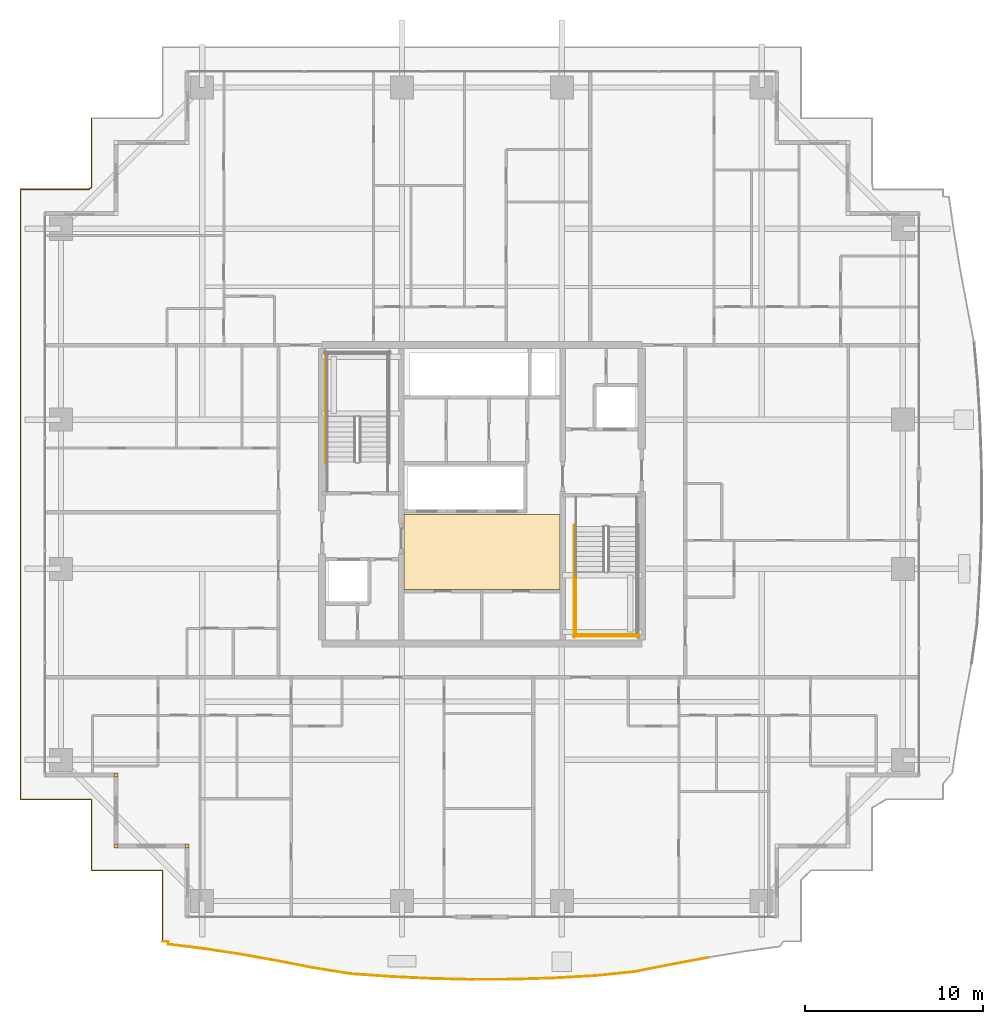
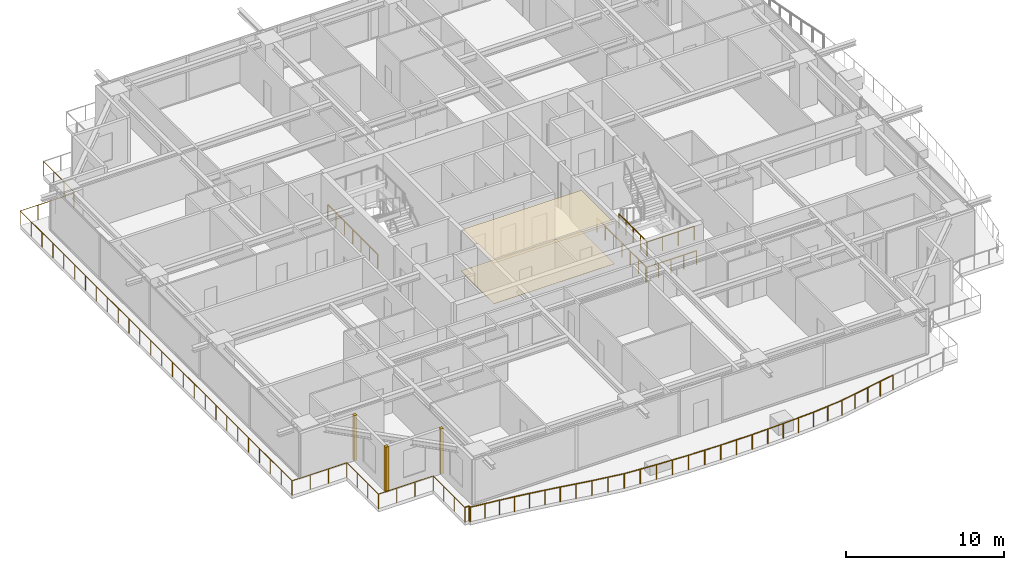
# One storey, part 34 of 38: 8 railings, 5 coverings.
"""IFC4 building model written with IfcOpenShell, lengths in metres."""

from ifc_helpers import new_model, si_unit, direction, frame, origin, origin_2d, place, context, subcontext, project, spatial, polyline, rectangle, circle, outline, extrude, source, transform, mapped, material, layer, layer_set, type_object, element, save


model = new_model("IFC4")

# Units and contexts
model_context = context("Model", 3, precision=1e-05, world=origin(), true_north=direction((0.0, 1.0)))
body_context = subcontext(model_context, "Body", "Model", "MODEL_VIEW")
ifc_project = project(units=[si_unit("LENGTHUNIT", "METRE"), si_unit("AREAUNIT", "SQUARE_METRE"), si_unit("VOLUMEUNIT", "CUBIC_METRE"), si_unit("PLANEANGLEUNIT", "RADIAN"), si_unit("MASSUNIT", "GRAM", prefix="KILO")], contexts=[model_context])

# Site, building, storey
site_placement = place(None, origin())
site = spatial("IfcSite", under=ifc_project, at=site_placement, CompositionType="ELEMENT")
building_placement = place(site_placement, origin())
building = spatial("IfcBuilding", under=site, at=building_placement, Name="Serunith Strait Residences", CompositionType="ELEMENT")
storey_placement = place(building_placement, frame((0.0, 0.0, 176.39990234375)))
storey = spatial("IfcBuildingStorey", under=building, at=storey_placement, Name="L44", CompositionType="ELEMENT", Elevation=176.39990234375)

# Coverings
ifc_material_1 = material(Name="Perforated acoustic gypsum ceiling tile")
ifc_layer_1 = layer(ifc_material_1, 0.02490234375, Name="Perforated acoustic gypsum ceiling tile")
ifc_layer_set_1 = layer_set([ifc_layer_1], Name="Perforated acoustic gypsum ceiling tile")
covering_type_1 = type_object("IfcCoveringType", Name="COV-CEIL-AC60", PredefinedType="CEILING", material=ifc_layer_set_1)
covering_1_placement = place(storey_placement, frame((0.0, 0.0, 3.14013671875)))
element("IfcCovering", 1, at=covering_1_placement, inside=storey, type_object=covering_type_1, Name="L44 Lift Lobby Acoustic Ceiling", PredefinedType="CEILING", context=body_context, shape_type="SweptSolid", body=[
    extrude(outline(polyline([(28.0, 19.85009765625), (36.800048828125, 19.85009765625), (36.800048828125, 24.050048828125), (28.0, 24.050048828125), (28.0, 19.85009765625)])), origin(), (0.0, 0.0, 1.0), 0.02490234375),
])
ifc_material_2 = material(Name="Honed limestone terrazzo flooring", Category="masonry")
ifc_layer_2 = layer(ifc_material_2, 0.02001953125, Name="Honed limestone terrazzo flooring")
ifc_layer_set_2 = layer_set([ifc_layer_2], Name="Honed limestone terrazzo flooring")
covering_type_2 = type_object("IfcCoveringType", Name="COV-FLOOR-TER40", PredefinedType="FLOORING", material=ifc_layer_set_2)
covering_2_placement = place(storey_placement, origin())
element("IfcCovering", 2, at=covering_2_placement, inside=storey, type_object=covering_type_2, Name="L44 Lift Lobby Terrazzo Flooring", PredefinedType="FLOORING", context=body_context, shape_type="SweptSolid", body=[
    extrude(outline(polyline([(28.0, 19.85009765625), (36.800048828125, 19.85009765625), (36.800048828125, 24.050048828125), (28.0, 24.050048828125), (28.0, 19.85009765625)])), origin(), (0.0, 0.0, 1.0), 0.02001953125),
])

# Railings
ifc_material_3 = material(Name="Stainless Steel & Laminated Glass Balustrade", Category="steel")
railing_type_1 = type_object("IfcRailingType", Name="RLG-BALC-1150", PredefinedType="BALUSTRADE", material=ifc_material_3)
railing_1_placement = place(storey_placement, frame((14.419921875, 0.02001953125, -0.0498046875)))
element("IfcRailing", 3, at=railing_1_placement, inside=storey, type_object=railing_type_1, Name="L44 Swirling Balcony Perimeter Balustrade 1", PredefinedType="BALUSTRADE", context=body_context, shape_type="SweptSolid", body=[
    extrude(circle(Radius=0.02392578125, at=origin_2d()), frame((0.0, 0.001953125, 1.1259765625), z_axis=(0.0, 1.0, 0.0), x_axis=(-1.0, 0.0, 0.0)), (0.0, 0.0, 1.0), 3.99609375),
    extrude(circle(Radius=0.02392578125, at=origin_2d()), frame((-0.001953125, 4.0, 1.1259765625), z_axis=(-1.0, 0.0, 0.0), x_axis=(0.0, -1.0, 0.0)), (0.0, 0.0, 1.0), 3.99609375),
    extrude(circle(Radius=0.02392578125, at=origin_2d()), frame((-4.0, 4.001953125, 1.1259765625), z_axis=(0.0, 1.0, 0.0), x_axis=(-1.0, 0.0, 0.0)), (0.0, 0.0, 1.0), 3.99609375),
    extrude(circle(Radius=0.02392578125, at=origin_2d()), frame((-4.001953125, 8.0, 1.1259765625), z_axis=(-1.0, 0.0, 0.0), x_axis=(0.0, -1.0, 0.0)), (0.0, 0.0, 1.0), 3.99609375),
    extrude(circle(Radius=0.02392578125, at=origin_2d()), frame((-8.0, 8.001953125, 1.1259765625), z_axis=(0.0, 1.0, 0.0), x_axis=(-1.0, 0.0, 0.0)), (0.0, 0.0, 1.0), 34.35595703125),
    extrude(circle(Radius=0.02392578125, at=origin_2d()), frame((-7.998046875, 42.35986328125, 1.1259765625), z_axis=(1.0, 0.0, 0.0), x_axis=(0.0, 1.0, 0.0)), (0.0, 0.0, 1.0), 3.861083984375),
    extrude(circle(Radius=0.02392578125, at=origin_2d()), frame((-4.13330078125, 42.361083984375, 1.1259765625), z_axis=(0.808862567734, 0.587997743633, 0.0), x_axis=(-0.587997743633, 0.808862567734, 0.0)), (0.0, 0.0, 1.0), 0.162841796875),
    extrude(circle(Radius=0.02392578125, at=origin_2d()), frame((-4.0, 42.4599609375, 1.1259765625), z_axis=(0.0, 1.0, 0.0), x_axis=(-1.0, 0.0, 0.0)), (0.0, 0.0, 1.0), 3.89794921875),
    extrude(circle(Radius=0.02099609375, at=origin_2d()), origin(), (0.0, 0.0, 1.0), 1.099853515625),
    extrude(circle(Radius=0.02099609375, at=origin_2d()), frame((0.0, 1.333251953125, 0.0)), (0.0, 0.0, 1.0), 1.099853515625),
    extrude(circle(Radius=0.02099609375, at=origin_2d()), frame((0.0, 2.666748046875, 0.0)), (0.0, 0.0, 1.0), 1.099853515625),
    extrude(circle(Radius=0.02099609375, at=origin_2d()), frame((0.0, 4.0, 0.0)), (0.0, 0.0, 1.0), 1.099853515625),
    extrude(circle(Radius=0.02099609375, at=origin_2d()), frame((-1.333251953125, 4.0, 0.0)), (0.0, 0.0, 1.0), 1.099853515625),
    extrude(circle(Radius=0.02099609375, at=origin_2d()), frame((-2.666748046875, 4.0, 0.0)), (0.0, 0.0, 1.0), 1.099853515625),
    extrude(circle(Radius=0.02099609375, at=origin_2d()), frame((-4.0, 4.0, 0.0)), (0.0, 0.0, 1.0), 1.099853515625),
    extrude(circle(Radius=0.02099609375, at=origin_2d()), frame((-4.0, 5.333251953125, 0.0)), (0.0, 0.0, 1.0), 1.099853515625),
    extrude(circle(Radius=0.02099609375, at=origin_2d()), frame((-4.0, 6.666748046875, 0.0)), (0.0, 0.0, 1.0), 1.099853515625),
    extrude(circle(Radius=0.02099609375, at=origin_2d()), frame((-4.0, 8.0, 0.0)), (0.0, 0.0, 1.0), 1.099853515625),
    extrude(circle(Radius=0.02099609375, at=origin_2d()), frame((-5.333251953125, 8.0, 0.0)), (0.0, 0.0, 1.0), 1.099853515625),
    extrude(circle(Radius=0.02099609375, at=origin_2d()), frame((-6.666748046875, 8.0, 0.0)), (0.0, 0.0, 1.0), 1.099853515625),
    extrude(circle(Radius=0.02099609375, at=origin_2d()), frame((-8.0, 8.0, 0.0)), (0.0, 0.0, 1.0), 1.099853515625),
    extrude(circle(Radius=0.02099609375, at=origin_2d()), frame((-8.0, 9.37451171875, 0.0)), (0.0, 0.0, 1.0), 1.099853515625),
    extrude(circle(Radius=0.02099609375, at=origin_2d()), frame((-8.0, 10.748779296875, 0.0)), (0.0, 0.0, 1.0), 1.099853515625),
    extrude(circle(Radius=0.02099609375, at=origin_2d()), frame((-8.0, 12.123291015625, 0.0)), (0.0, 0.0, 1.0), 1.099853515625),
    extrude(circle(Radius=0.02099609375, at=origin_2d()), frame((-8.0, 13.49755859375, 0.0)), (0.0, 0.0, 1.0), 1.099853515625),
    extrude(circle(Radius=0.02099609375, at=origin_2d()), frame((-8.0, 14.8720703125, 0.0)), (0.0, 0.0, 1.0), 1.099853515625),
    extrude(circle(Radius=0.02099609375, at=origin_2d()), frame((-8.0, 16.246337890625, 0.0)), (0.0, 0.0, 1.0), 1.099853515625),
    extrude(circle(Radius=0.02099609375, at=origin_2d()), frame((-8.0, 17.620849609375, 0.0)), (0.0, 0.0, 1.0), 1.099853515625),
    extrude(circle(Radius=0.02099609375, at=origin_2d()), frame((-8.0, 18.9951171875, 0.0)), (0.0, 0.0, 1.0), 1.099853515625),
    extrude(circle(Radius=0.02099609375, at=origin_2d()), frame((-8.0, 20.36962890625, 0.0)), (0.0, 0.0, 1.0), 1.099853515625),
    extrude(circle(Radius=0.02099609375, at=origin_2d()), frame((-8.0, 21.743896484375, 0.0)), (0.0, 0.0, 1.0), 1.099853515625),
    extrude(circle(Radius=0.02099609375, at=origin_2d()), frame((-8.0, 23.118408203125, 0.0)), (0.0, 0.0, 1.0), 1.099853515625),
    extrude(circle(Radius=0.02099609375, at=origin_2d()), frame((-8.0, 24.49267578125, 0.0)), (0.0, 0.0, 1.0), 1.099853515625),
    extrude(circle(Radius=0.02099609375, at=origin_2d()), frame((-8.0, 25.8671875, 0.0)), (0.0, 0.0, 1.0), 1.099853515625),
    extrude(circle(Radius=0.02099609375, at=origin_2d()), frame((-8.0, 27.241455078125, 0.0)), (0.0, 0.0, 1.0), 1.099853515625),
    extrude(circle(Radius=0.02099609375, at=origin_2d()), frame((-8.0, 28.615966796875, 0.0)), (0.0, 0.0, 1.0), 1.099853515625),
    extrude(circle(Radius=0.02099609375, at=origin_2d()), frame((-8.0, 29.990234375, 0.0)), (0.0, 0.0, 1.0), 1.099853515625),
    extrude(circle(Radius=0.02099609375, at=origin_2d()), frame((-8.0, 31.36474609375, 0.0)), (0.0, 0.0, 1.0), 1.099853515625),
    extrude(circle(Radius=0.02099609375, at=origin_2d()), frame((-8.0, 32.739013671875, 0.0)), (0.0, 0.0, 1.0), 1.099853515625),
    extrude(circle(Radius=0.02099609375, at=origin_2d()), frame((-8.0, 34.113525390625, 0.0)), (0.0, 0.0, 1.0), 1.099853515625),
    extrude(circle(Radius=0.02099609375, at=origin_2d()), frame((-8.0, 35.48779296875, 0.0)), (0.0, 0.0, 1.0), 1.099853515625),
    extrude(circle(Radius=0.02099609375, at=origin_2d()), frame((-8.0, 36.8623046875, 0.0)), (0.0, 0.0, 1.0), 1.099853515625),
    extrude(circle(Radius=0.02099609375, at=origin_2d()), frame((-8.0, 38.236572265625, 0.0)), (0.0, 0.0, 1.0), 1.099853515625),
    extrude(circle(Radius=0.02099609375, at=origin_2d()), frame((-8.0, 39.611083984375, 0.0)), (0.0, 0.0, 1.0), 1.099853515625),
    extrude(circle(Radius=0.02099609375, at=origin_2d()), frame((-8.0, 40.9853515625, 0.0)), (0.0, 0.0, 1.0), 1.099853515625),
    extrude(circle(Radius=0.02099609375, at=origin_2d()), frame((-8.0, 42.35986328125, 0.0)), (0.0, 0.0, 1.0), 1.099853515625),
    extrude(circle(Radius=0.02099609375, at=origin_2d()), frame((-6.711669921875, 42.35986328125, 0.0)), (0.0, 0.0, 1.0), 1.099853515625),
    extrude(circle(Radius=0.02099609375, at=origin_2d()), frame((-5.42333984375, 42.35986328125, 0.0)), (0.0, 0.0, 1.0), 1.099853515625),
    extrude(circle(Radius=0.02099609375, at=origin_2d()), frame((-4.135009765625, 42.35986328125, 0.0)), (0.0, 0.0, 1.0), 1.099853515625),
    extrude(circle(Radius=0.02099609375, at=origin_2d()), frame((-4.0, 42.4580078125, 0.0)), (0.0, 0.0, 1.0), 1.099853515625),
    extrude(circle(Radius=0.02099609375, at=origin_2d()), frame((-4.0, 43.758544921875, 0.0)), (0.0, 0.0, 1.0), 1.099853515625),
    extrude(circle(Radius=0.02099609375, at=origin_2d()), frame((-4.0, 45.059326171875, 0.0)), (0.0, 0.0, 1.0), 1.099853515625),
    extrude(circle(Radius=0.02099609375, at=origin_2d()), frame((-4.0, 46.35986328125, 0.0)), (0.0, 0.0, 1.0), 1.099853515625),
])
railing_2_placement = place(storey_placement, frame((45.149169921875, -0.8828125, -0.0498046875)))
element("IfcRailing", 4, at=railing_2_placement, inside=storey, type_object=railing_type_1, Name="L44 Swirling Balcony Perimeter Balustrade 7", PredefinedType="BALUSTRADE", context=body_context, shape_type="SweptSolid", body=[
    extrude(circle(Radius=0.02392578125, at=origin_2d()), frame((-0.001953125, -0.00048828125, 1.1259765625), z_axis=(-0.982796723511, -0.184690552701, 0.0), x_axis=(0.184690552701, -0.982796723511, 0.0)), (0.0, 0.0, 1.0), 2.0859375),
    extrude(circle(Radius=0.02392578125, at=origin_2d()), frame((-2.055908203125, -0.386474609375, 1.1259765625), z_axis=(-0.981456757516, -0.191683679862, 0.0), x_axis=(0.191683679862, -0.981456757516, 0.0)), (0.0, 0.0, 1.0), 2.147216796875),
    extrude(circle(Radius=0.02392578125, at=origin_2d()), frame((-4.167236328125, -0.798583984375, 1.1259765625), z_axis=(-0.994797622893, -0.101870945249, 0.0), x_axis=(0.101870945249, -0.994797622893, 0.0)), (0.0, 0.0, 1.0), 2.23193359375),
    extrude(circle(Radius=0.02392578125, at=origin_2d()), frame((-6.3916015625, -1.026123046875, 1.1259765625), z_axis=(-0.998420587832, -0.056181222788, 0.0), x_axis=(0.056181222788, -0.998420587832, 0.0)), (0.0, 0.0, 1.0), 2.27734375),
    extrude(circle(Radius=0.02392578125, at=origin_2d()), frame((-8.66943359375, -1.154296875, 1.1259765625), z_axis=(-0.999498020934, -0.03168132177, 0.0), x_axis=(0.03168132177, -0.999498020934, 0.0)), (0.0, 0.0, 1.0), 2.300048828125),
    extrude(circle(Radius=0.02392578125, at=origin_2d()), frame((-10.972412109375, -1.227294921875, 1.1259765625), z_axis=(-0.999990186012, -0.004430336267, 0.0), x_axis=(0.004430336267, -0.999990186012, 0.0)), (0.0, 0.0, 1.0), 2.310546875),
    extrude(circle(Radius=0.02392578125, at=origin_2d()), frame((-13.286865234375, -1.237548828125, 1.1259765625), z_axis=(-0.999732087346, 0.023146350262, 0.0), x_axis=(-0.023146350262, -0.999732087346, 0.0)), (0.0, 0.0, 1.0), 2.305908203125),
    extrude(circle(Radius=0.02392578125, at=origin_2d()), frame((-15.59619140625, -1.18408203125, 1.1259765625), z_axis=(-0.998809314878, 0.048784756981, 0.0), x_axis=(-0.048784756981, -0.998809314878, 0.0)), (0.0, 0.0, 1.0), 2.2880859375),
    extrude(circle(Radius=0.02099609375, at=origin_2d()), origin(), (0.0, 0.0, 1.0), 1.099853515625),
    extrude(circle(Radius=0.02099609375, at=origin_2d()), frame((-1.02685546875, -0.19287109375, 0.0)), (0.0, 0.0, 1.0), 1.099853515625),
    extrude(circle(Radius=0.02099609375, at=origin_2d()), frame((-2.053955078125, -0.385986328125, 0.0)), (0.0, 0.0, 1.0), 1.099853515625),
    extrude(circle(Radius=0.02099609375, at=origin_2d()), frame((-3.109619140625, -0.59228515625, 0.0)), (0.0, 0.0, 1.0), 1.099853515625),
    extrude(circle(Radius=0.02099609375, at=origin_2d()), frame((-4.165283203125, -0.79833984375, 0.0)), (0.0, 0.0, 1.0), 1.099853515625),
    extrude(circle(Radius=0.02099609375, at=origin_2d()), frame((-5.27734375, -0.912109375, 0.0)), (0.0, 0.0, 1.0), 1.099853515625),
    extrude(circle(Radius=0.02099609375, at=origin_2d()), frame((-6.3896484375, -1.026123046875, 0.0)), (0.0, 0.0, 1.0), 1.099853515625),
    extrude(circle(Radius=0.02099609375, at=origin_2d()), frame((-7.528564453125, -1.09033203125, 0.0)), (0.0, 0.0, 1.0), 1.099853515625),
    extrude(circle(Radius=0.02099609375, at=origin_2d()), frame((-8.66748046875, -1.154296875, 0.0)), (0.0, 0.0, 1.0), 1.099853515625),
    extrude(circle(Radius=0.02099609375, at=origin_2d()), frame((-9.81884765625, -1.19091796875, 0.0)), (0.0, 0.0, 1.0), 1.099853515625),
    extrude(circle(Radius=0.02099609375, at=origin_2d()), frame((-10.970458984375, -1.227294921875, 0.0)), (0.0, 0.0, 1.0), 1.099853515625),
    extrude(circle(Radius=0.02099609375, at=origin_2d()), frame((-12.127685546875, -1.232421875, 0.0)), (0.0, 0.0, 1.0), 1.099853515625),
    extrude(circle(Radius=0.02099609375, at=origin_2d()), frame((-13.284912109375, -1.237548828125, 0.0)), (0.0, 0.0, 1.0), 1.099853515625),
    extrude(circle(Radius=0.02099609375, at=origin_2d()), frame((-14.439453125, -1.2109375, 0.0)), (0.0, 0.0, 1.0), 1.099853515625),
    extrude(circle(Radius=0.02099609375, at=origin_2d()), frame((-15.59423828125, -1.18408203125, 0.0)), (0.0, 0.0, 1.0), 1.099853515625),
    extrude(circle(Radius=0.02099609375, at=origin_2d()), frame((-16.73876953125, -1.128173828125, 0.0)), (0.0, 0.0, 1.0), 1.099853515625),
    extrude(circle(Radius=0.02099609375, at=origin_2d()), frame((-17.883544921875, -1.072265625, 0.0)), (0.0, 0.0, 1.0), 1.099853515625),
])
railing_3_placement = place(storey_placement, frame((27.265625, -1.955078125, -0.0498046875)))
element("IfcRailing", 5, at=railing_3_placement, inside=storey, type_object=railing_type_1, Name="L44 Swirling Balcony Perimeter Balustrade 8", PredefinedType="BALUSTRADE", context=body_context, shape_type="SweptSolid", body=[
    extrude(circle(Radius=0.02392578125, at=origin_2d()), frame((-0.001953125, 0.000244140625, 1.1259765625), z_axis=(-0.997538029743, 0.0701275924, 0.0), x_axis=(-0.0701275924, -0.997538029743, 0.0)), (0.0, 0.0, 1.0), 2.2587890625),
    extrude(circle(Radius=0.02392578125, at=origin_2d()), frame((-2.25927734375, 0.158935546875, 1.1259765625), z_axis=(-0.987308848812, 0.158811955024, 0.0), x_axis=(-0.158811955024, -0.987308848812, 0.0)), (0.0, 0.0, 1.0), 2.1865234375),
    extrude(circle(Radius=0.02392578125, at=origin_2d()), frame((-4.422119140625, 0.507080078125, 1.1259765625), z_axis=(-0.981725009027, 0.190305035799, 0.0), x_axis=(-0.190305035799, -0.981725009027, 0.0)), (0.0, 0.0, 1.0), 2.114013671875),
    extrude(circle(Radius=0.02392578125, at=origin_2d()), frame((-6.50146484375, 0.909912109375, 1.1259765625), z_axis=(-0.98455299877, 0.175086814503, 0.0), x_axis=(-0.175086814503, -0.98455299877, 0.0)), (0.0, 0.0, 1.0), 2.06103515625),
    extrude(circle(Radius=0.02392578125, at=origin_2d()), frame((-8.53466796875, 1.271484375, 1.1259765625), z_axis=(-0.988644109379, 0.150275829696, 0.0), x_axis=(-0.150275829696, -0.988644109379, 0.0)), (0.0, 0.0, 1.0), 2.025146484375),
    extrude(circle(Radius=0.02392578125, at=origin_2d()), frame((-10.540771484375, 1.576416015625, 1.1259765625), z_axis=(-0.992435854796, 0.122764303095, 0.0), x_axis=(-0.122764303095, -0.992435854796, 0.0)), (0.0, 0.0, 1.0), 2.006591796875),
    extrude(circle(Radius=0.02392578125, at=origin_2d()), frame((-12.5341796875, 1.824951171875, 1.1259765625), z_axis=(0.008025423722, 0.999967795768, 0.0), x_axis=(-0.999967795768, 0.008025423722, 0.0)), (0.0, 0.0, 1.0), 0.148193359375),
    extrude(circle(Radius=0.02392578125, at=origin_2d()), frame((-12.534912109375, 1.97509765625, 1.1259765625), z_axis=(-1.0, 0.0, 0.0), x_axis=(0.0, -1.0, 0.0)), (0.0, 0.0, 1.0), 0.308837890625),
    extrude(circle(Radius=0.02099609375, at=origin_2d()), origin(), (0.0, 0.0, 1.0), 1.099853515625),
    extrude(circle(Radius=0.02099609375, at=origin_2d()), frame((-1.128662109375, 0.079345703125, 0.0)), (0.0, 0.0, 1.0), 1.099853515625),
    extrude(circle(Radius=0.02099609375, at=origin_2d()), frame((-2.25732421875, 0.15869140625, 0.0)), (0.0, 0.0, 1.0), 1.099853515625),
    extrude(circle(Radius=0.02099609375, at=origin_2d()), frame((-3.3388671875, 0.33251953125, 0.0)), (0.0, 0.0, 1.0), 1.099853515625),
    extrude(circle(Radius=0.02099609375, at=origin_2d()), frame((-4.420166015625, 0.506591796875, 0.0)), (0.0, 0.0, 1.0), 1.099853515625),
    extrude(circle(Radius=0.02099609375, at=origin_2d()), frame((-5.4599609375, 0.7080078125, 0.0)), (0.0, 0.0, 1.0), 1.099853515625),
    extrude(circle(Radius=0.02099609375, at=origin_2d()), frame((-6.49951171875, 0.90966796875, 0.0)), (0.0, 0.0, 1.0), 1.099853515625),
    extrude(circle(Radius=0.02099609375, at=origin_2d()), frame((-7.51611328125, 1.09033203125, 0.0)), (0.0, 0.0, 1.0), 1.099853515625),
    extrude(circle(Radius=0.02099609375, at=origin_2d()), frame((-8.53271484375, 1.271240234375, 0.0)), (0.0, 0.0, 1.0), 1.099853515625),
    extrude(circle(Radius=0.02099609375, at=origin_2d()), frame((-9.53564453125, 1.423828125, 0.0)), (0.0, 0.0, 1.0), 1.099853515625),
    extrude(circle(Radius=0.02099609375, at=origin_2d()), frame((-10.538818359375, 1.576171875, 0.0)), (0.0, 0.0, 1.0), 1.099853515625),
    extrude(circle(Radius=0.02099609375, at=origin_2d()), frame((-11.53662109375, 1.69970703125, 0.0)), (0.0, 0.0, 1.0), 1.099853515625),
    extrude(circle(Radius=0.02099609375, at=origin_2d()), frame((-12.5341796875, 1.822998046875, 0.0)), (0.0, 0.0, 1.0), 1.099853515625),
    extrude(circle(Radius=0.02099609375, at=origin_2d()), frame((-12.532958984375, 1.97509765625, 0.0)), (0.0, 0.0, 1.0), 1.099853515625),
    extrude(circle(Radius=0.02099609375, at=origin_2d()), frame((-12.845703125, 1.97509765625, 0.0)), (0.0, 0.0, 1.0), 1.099853515625),
])
ifc_material_4 = material(Name="Brushed stainless steel 316L", Category="steel")
railing_type_2 = type_object("IfcRailingType", Name="RLG-STAIR-GUARD", PredefinedType="BALUSTRADE", material=ifc_material_4)
railing_4_placement = place(storey_placement, frame((23.60009765625, 26.929931640625, 0.0)))
element("IfcRailing", 6, at=railing_4_placement, inside=storey, type_object=railing_type_2, Name="L44 ST-1 stair guard 11", PredefinedType="BALUSTRADE", context=body_context, shape_type="SweptSolid", body=[
    extrude(circle(Radius=0.02392578125, at=origin_2d()), frame((0.0, 0.001953125, 1.076171875), z_axis=(0.0, 1.0, 0.0), x_axis=(-1.0, 0.0, 0.0)), (0.0, 0.0, 1.0), 6.316162109375),
    extrude(circle(Radius=0.02099609375, at=origin_2d()), origin(), (0.0, 0.0, 1.0), 1.050048828125),
    extrude(circle(Radius=0.02099609375, at=origin_2d()), frame((0.0, 1.05322265625, 0.0)), (0.0, 0.0, 1.0), 1.050048828125),
    extrude(circle(Radius=0.02099609375, at=origin_2d()), frame((0.0, 2.106689453125, 0.0)), (0.0, 0.0, 1.0), 1.050048828125),
    extrude(circle(Radius=0.02099609375, at=origin_2d()), frame((0.0, 3.16015625, 0.0)), (0.0, 0.0, 1.0), 1.050048828125),
    extrude(circle(Radius=0.02099609375, at=origin_2d()), frame((0.0, 4.21337890625, 0.0)), (0.0, 0.0, 1.0), 1.050048828125),
    extrude(circle(Radius=0.02099609375, at=origin_2d()), frame((0.0, 5.2666015625, 0.0)), (0.0, 0.0, 1.0), 1.050048828125),
    extrude(circle(Radius=0.02099609375, at=origin_2d()), frame((0.0, 6.320068359375, 0.0)), (0.0, 0.0, 1.0), 1.050048828125),
])
railing_5_placement = place(storey_placement, frame((37.699951171875, 20.85009765625, 1.875)))
element("IfcRailing", 7, at=railing_5_placement, inside=storey, type_object=railing_type_2, Name="L44 ST-2 stair guard 3", PredefinedType="BALUSTRADE", context=body_context, shape_type="SweptSolid", body=[
    extrude(circle(Radius=0.02392578125, at=origin_2d()), frame((0.0, -0.001953125, 1.076171875), z_axis=(0.0, -1.0, 0.0), x_axis=(1.0, 0.0, 0.0)), (0.0, 0.0, 1.0), 3.59619140625),
    extrude(circle(Radius=0.02099609375, at=origin_2d()), origin(), (0.0, 0.0, 1.0), 1.050048828125),
    extrude(circle(Radius=0.02099609375, at=origin_2d()), frame((0.0, -0.89990234375, 0.0)), (0.0, 0.0, 1.0), 1.050048828125),
    extrude(circle(Radius=0.02099609375, at=origin_2d()), frame((0.0, -1.800048828125, 0.0)), (0.0, 0.0, 1.0), 1.050048828125),
    extrude(circle(Radius=0.02099609375, at=origin_2d()), frame((0.0, -2.7001953125, 0.0)), (0.0, 0.0, 1.0), 1.050048828125),
    extrude(circle(Radius=0.02099609375, at=origin_2d()), frame((0.0, -3.60009765625, 0.0)), (0.0, 0.0, 1.0), 1.050048828125),
])
railing_6_placement = place(storey_placement, frame((37.64990234375, 17.300048828125, 1.875)))
element("IfcRailing", 8, at=railing_6_placement, inside=storey, type_object=railing_type_2, Name="L44 ST-2 stair guard 5", PredefinedType="BALUSTRADE", context=body_context, shape_type="SweptSolid", body=[
    extrude(circle(Radius=0.02392578125, at=origin_2d()), frame((0.001953125, 0.0, 1.076171875), z_axis=(1.0, 0.0, 0.0), x_axis=(0.0, 1.0, 0.0)), (0.0, 0.0, 1.0), 3.49609375),
    extrude(circle(Radius=0.02099609375, at=origin_2d()), origin(), (0.0, 0.0, 1.0), 1.050048828125),
    extrude(circle(Radius=0.02099609375, at=origin_2d()), frame((1.166748046875, 0.0, 0.0)), (0.0, 0.0, 1.0), 1.050048828125),
    extrude(circle(Radius=0.02099609375, at=origin_2d()), frame((2.333251953125, 0.0, 0.0)), (0.0, 0.0, 1.0), 1.050048828125),
    extrude(circle(Radius=0.02099609375, at=origin_2d()), frame((3.5, 0.0, 0.0)), (0.0, 0.0, 1.0), 1.050048828125),
])
railing_7_placement = place(storey_placement, frame((37.60009765625, 23.469970703125, 0.0)))
element("IfcRailing", 9, at=railing_7_placement, inside=storey, type_object=railing_type_2, Name="L44 ST-2 stair guard 10", PredefinedType="BALUSTRADE", context=body_context, shape_type="SweptSolid", body=[
    extrude(circle(Radius=0.02392578125, at=origin_2d()), frame((0.0, -0.001953125, 1.076171875), z_axis=(0.0, -1.0, 0.0), x_axis=(1.0, 0.0, 0.0)), (0.0, 0.0, 1.0), 6.316162109375),
    extrude(circle(Radius=0.02099609375, at=origin_2d()), origin(), (0.0, 0.0, 1.0), 1.050048828125),
    extrude(circle(Radius=0.02099609375, at=origin_2d()), frame((0.0, -1.05322265625, 0.0)), (0.0, 0.0, 1.0), 1.050048828125),
    extrude(circle(Radius=0.02099609375, at=origin_2d()), frame((0.0, -2.106689453125, 0.0)), (0.0, 0.0, 1.0), 1.050048828125),
    extrude(circle(Radius=0.02099609375, at=origin_2d()), frame((0.0, -3.16015625, 0.0)), (0.0, 0.0, 1.0), 1.050048828125),
    extrude(circle(Radius=0.02099609375, at=origin_2d()), frame((0.0, -4.21337890625, 0.0)), (0.0, 0.0, 1.0), 1.050048828125),
    extrude(circle(Radius=0.02099609375, at=origin_2d()), frame((0.0, -5.2666015625, 0.0)), (0.0, 0.0, 1.0), 1.050048828125),
    extrude(circle(Radius=0.02099609375, at=origin_2d()), frame((0.0, -6.320068359375, 0.0)), (0.0, 0.0, 1.0), 1.050048828125),
])
railing_8_placement = place(storey_placement, frame((37.550048828125, 17.199951171875, 0.0)))
element("IfcRailing", 10, at=railing_8_placement, inside=storey, type_object=railing_type_2, Name="L44 ST-2 stair guard 12", PredefinedType="BALUSTRADE", context=body_context, shape_type="SweptSolid", body=[
    extrude(circle(Radius=0.02392578125, at=origin_2d()), frame((0.001953125, 0.0, 1.076171875), z_axis=(1.0, 0.0, 0.0), x_axis=(0.0, 1.0, 0.0)), (0.0, 0.0, 1.0), 3.696044921875),
    extrude(circle(Radius=0.02099609375, at=origin_2d()), origin(), (0.0, 0.0, 1.0), 1.050048828125),
    extrude(circle(Radius=0.02099609375, at=origin_2d()), frame((0.925048828125, 0.0, 0.0)), (0.0, 0.0, 1.0), 1.050048828125),
    extrude(circle(Radius=0.02099609375, at=origin_2d()), frame((1.85009765625, 0.0, 0.0)), (0.0, 0.0, 1.0), 1.050048828125),
    extrude(circle(Radius=0.02099609375, at=origin_2d()), frame((2.77490234375, 0.0, 0.0)), (0.0, 0.0, 1.0), 1.050048828125),
    extrude(circle(Radius=0.02099609375, at=origin_2d()), frame((3.699951171875, 0.0, 0.0)), (0.0, 0.0, 1.0), 1.050048828125),
])

# Coverings
ifc_material_5 = material(Name="Pale-Champagne Anodised Aluminium", Category="aluminium")
ifc_layer_3 = layer(ifc_material_5, 0.219970703125, Name="Pale-Champagne Anodised Aluminium")
ifc_layer_set_3 = layer_set([ifc_layer_3], Name="Pale-Champagne Anodised Aluminium")
covering_type_3 = type_object("IfcCoveringType", Name="COV-CORN-TRIM", PredefinedType="CLADDING", material=ifc_layer_set_3)
shared_shape = source(origin(), body_context, "Body", "SweptSolid", [
    extrude(rectangle(XDim=0.221923828125, YDim=0.221923828125, at=origin_2d()), origin(), (0.0, 0.0, 1.0), 3.47509765625),
])
for number, where, z_axis, x_axis, name in (
    (11, (11.800048828125, 9.39990234375, 0.0), (0.0, 0.0, 1.0), (1.0, 0.0, 0.0), "L44 Girih Serrated Corner Trim Post 17"),
    (12, (11.800048828125, 5.39990234375, 0.0), (0.0, 0.0, 1.0), (1.0, 0.0, 0.0), "L44 Girih Serrated Corner Trim Post 18"),
    (13, (15.800048828125, 5.39990234375, 0.0), (0.0, 0.0, 1.0), (1.0, 0.0, 0.0), "L44 Girih Serrated Corner Trim Post 19"),
):
    element("IfcCovering", number, at=place(storey_placement, frame(where, z_axis=z_axis, x_axis=x_axis)), inside=storey, type_object=covering_type_3, Name=name, PredefinedType="CLADDING", context=body_context, shape_type="MappedRepresentation", body=[
        mapped(shared_shape, transform((0.0, 0.0, 0.0), scale=1.0)),
    ])

save(model, "model.ifc")
